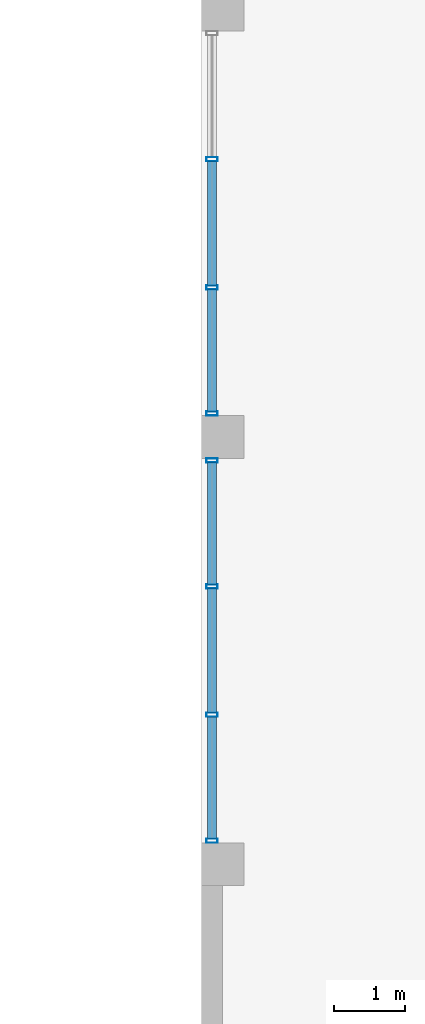
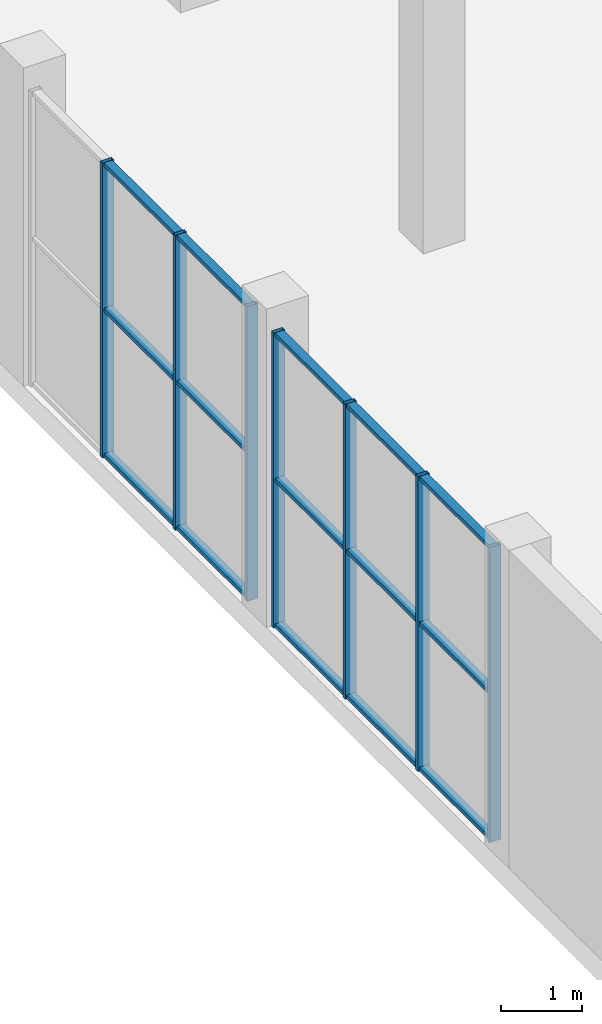
# One storey, part 8 of 45: 22 members, 2 elements without a shape of their own.
"""IFC4 building model written with IfcOpenShell, lengths in metres."""

from ifc_helpers import new_model, si_unit, direction, frame, origin, origin_2d, place, context, subcontext, project, spatial, hollow_rectangle, extrude, material, layer, layer_set, material_profile, profile_set, type_object, element, aggregate, save


model = new_model("IFC4")

# Units and contexts
model_context = context("Model", 3, precision=1e-05, world=origin(), true_north=direction((0.0, 1.0)))
body_context = subcontext(model_context, "Body", "Model", "MODEL_VIEW")
ifc_project = project(units=[si_unit("LENGTHUNIT", "METRE"), si_unit("AREAUNIT", "SQUARE_METRE"), si_unit("VOLUMEUNIT", "CUBIC_METRE"), si_unit("PLANEANGLEUNIT", "RADIAN"), si_unit("MASSUNIT", "GRAM", prefix="KILO")], contexts=[model_context])

# Site, building, storey
site_placement = place(None, origin())
site = spatial("IfcSite", under=ifc_project, at=site_placement, CompositionType="ELEMENT")
building_placement = place(site_placement, origin())
building = spatial("IfcBuilding", under=site, at=building_placement, Name="Nakaniwa Court", CompositionType="ELEMENT")
storey_placement = place(building_placement, frame((0.0, 0.0, 6.60009765625)))
storey = spatial("IfcBuildingStorey", under=building, at=storey_placement, Name="L01", CompositionType="ELEMENT", Elevation=6.60009765625)

# Curtain wall, members
ifc_material_1 = material(Name="Dark low-E laminated glass in black aluminium frame", Category="aluminium")
ifc_layer = layer(ifc_material_1, 0.159912109375)
ifc_layer_set = layer_set([ifc_layer], Name="Dark low-E laminated glass in black aluminium frame")
curtain_wall_type = type_object("IfcCurtainWallType", Name="Hall foyer curtain wall CW6", PredefinedType="NOTDEFINED", material=ifc_layer_set)
curtain_wall_1_placement = place(storey_placement, origin())
curtain_wall_1 = element("IfcCurtainWall", 1, at=curtain_wall_1_placement, inside=storey, type_object=curtain_wall_type, Name="Foyer curtain wall L01:003", PredefinedType="NOTDEFINED")
ifc_material_2 = material(Name="Extruded aluminium 6063-T6 black anodised", Category="aluminium")
ifc_material_profile_1 = material_profile(ifc_material_2, hollow_rectangle(XDim=0.159912109375, YDim=0.06005859375, WallThickness=0.0029296875, at=origin_2d()), Name="CW mullion 160x60")
ifc_profile_set_1 = profile_set([ifc_material_profile_1], Name="Extruded aluminium 6063-T6 black anodised")
member_type_1 = type_object("IfcMemberType", Name="Curtain wall mullion 160x60", PredefinedType="MULLION", material=ifc_profile_set_1)
member_1_placement = place(storey_placement, frame((152.14990234375, 68.330078125, 0.0), z_axis=(0.0, 0.0, 1.0), x_axis=(-1.0, 0.0, 0.0)))
member_1 = element("IfcMember", 2, at=member_1_placement, type_object=member_type_1, Name="HCW-01 mullion 1", PredefinedType="MULLION", context=body_context, shape_type="SweptSolid", body=[
    extrude(hollow_rectangle(XDim=0.159912109375, YDim=0.06005859375, WallThickness=0.0029296875, at=origin_2d()), origin(), (0.0, 0.0, 1.0), 4.449951171875),
])
member_2_placement = place(storey_placement, frame((152.14990234375, 70.10009765625, 0.0), z_axis=(0.0, 0.0, 1.0), x_axis=(-1.0, 0.0, 0.0)))
member_2 = element("IfcMember", 3, at=member_2_placement, type_object=member_type_1, Name="HCW-01 mullion 2", PredefinedType="MULLION", context=body_context, shape_type="SweptSolid", body=[
    extrude(hollow_rectangle(XDim=0.159912109375, YDim=0.06005859375, WallThickness=0.0029296875, at=origin_2d()), origin(), (0.0, 0.0, 1.0), 4.449951171875),
])
member_3_placement = place(storey_placement, frame((152.14990234375, 71.89990234375, 0.0), z_axis=(0.0, 0.0, 1.0), x_axis=(-1.0, 0.0, 0.0)))
member_3 = element("IfcMember", 4, at=member_3_placement, type_object=member_type_1, Name="HCW-01 mullion 3", PredefinedType="MULLION", context=body_context, shape_type="SweptSolid", body=[
    extrude(hollow_rectangle(XDim=0.159912109375, YDim=0.06005859375, WallThickness=0.0029296875, at=origin_2d()), origin(), (0.0, 0.0, 1.0), 4.449951171875),
])
member_4_placement = place(storey_placement, frame((152.14990234375, 73.669921875, 0.0), z_axis=(0.0, 0.0, 1.0), x_axis=(-1.0, 0.0, 0.0)))
member_4 = element("IfcMember", 5, at=member_4_placement, type_object=member_type_1, Name="HCW-01 mullion 4", PredefinedType="MULLION", context=body_context, shape_type="SweptSolid", body=[
    extrude(hollow_rectangle(XDim=0.159912109375, YDim=0.06005859375, WallThickness=0.0029296875, at=origin_2d()), origin(), (0.0, 0.0, 1.0), 4.449951171875),
])

curtain_wall_2_placement = place(storey_placement, origin())
curtain_wall_2 = element("IfcCurtainWall", 6, at=curtain_wall_2_placement, inside=storey, type_object=curtain_wall_type, Name="Foyer curtain wall L01:004", PredefinedType="NOTDEFINED")
member_5_placement = place(storey_placement, frame((152.14990234375, 74.330078125, 0.0), z_axis=(0.0, 0.0, 1.0), x_axis=(-1.0, 0.0, 0.0)))
member_5 = element("IfcMember", 7, at=member_5_placement, type_object=member_type_1, Name="HCW-02 mullion 1", PredefinedType="MULLION", context=body_context, shape_type="SweptSolid", body=[
    extrude(hollow_rectangle(XDim=0.159912109375, YDim=0.06005859375, WallThickness=0.0029296875, at=origin_2d()), origin(), (0.0, 0.0, 1.0), 4.449951171875),
])
member_6_placement = place(storey_placement, frame((152.14990234375, 76.10009765625, 0.0), z_axis=(0.0, 0.0, 1.0), x_axis=(-1.0, 0.0, 0.0)))
member_6 = element("IfcMember", 8, at=member_6_placement, type_object=member_type_1, Name="HCW-02 mullion 2", PredefinedType="MULLION", context=body_context, shape_type="SweptSolid", body=[
    extrude(hollow_rectangle(XDim=0.159912109375, YDim=0.06005859375, WallThickness=0.0029296875, at=origin_2d()), origin(), (0.0, 0.0, 1.0), 4.449951171875),
])
member_7_placement = place(storey_placement, frame((152.14990234375, 77.89990234375, 0.0), z_axis=(0.0, 0.0, 1.0), x_axis=(-1.0, 0.0, 0.0)))
member_7 = element("IfcMember", 9, at=member_7_placement, type_object=member_type_1, Name="HCW-02 mullion 3", PredefinedType="MULLION", context=body_context, shape_type="SweptSolid", body=[
    extrude(hollow_rectangle(XDim=0.159912109375, YDim=0.06005859375, WallThickness=0.0029296875, at=origin_2d()), origin(), (0.0, 0.0, 1.0), 4.449951171875),
])

# Member
ifc_material_profile_2 = material_profile(ifc_material_2, hollow_rectangle(XDim=0.1201171875, YDim=0.06005859375, WallThickness=0.0029296875, at=origin_2d()), Name="CW transom 120x60")
ifc_profile_set_2 = profile_set([ifc_material_profile_2], Name="Extruded aluminium 6063-T6 black anodised")
member_type_2 = type_object("IfcMemberType", Name="Curtain wall transom 120x60", PredefinedType="USERDEFINED", material=ifc_profile_set_2)
member_8_placement = place(storey_placement, frame((152.14990234375, 68.360107421875, 0.02978515625), z_axis=(0.0, 1.0, 0.0), x_axis=(-1.0, 0.0, 0.0)))
member_8 = element("IfcMember", 10, at=member_8_placement, type_object=member_type_2, Name="HCW-01 transom 1.1", ObjectType="TRANSOM", PredefinedType="USERDEFINED", context=body_context, shape_type="SweptSolid", body=[
    extrude(hollow_rectangle(XDim=0.1201171875, YDim=0.06005859375, WallThickness=0.0029296875, at=origin_2d()), origin(), (0.0, 0.0, 1.0), 1.7099609375),
])

member_9_placement = place(storey_placement, frame((152.14990234375, 68.360107421875, 2.224853515625), z_axis=(0.0, 1.0, 0.0), x_axis=(-1.0, 0.0, 0.0)))
member_9 = element("IfcMember", 11, at=member_9_placement, type_object=member_type_2, Name="HCW-01 transom 1.2", ObjectType="TRANSOM", PredefinedType="USERDEFINED", context=body_context, shape_type="SweptSolid", body=[
    extrude(hollow_rectangle(XDim=0.1201171875, YDim=0.06005859375, WallThickness=0.0029296875, at=origin_2d()), origin(), (0.0, 0.0, 1.0), 1.7099609375),
])

member_10_placement = place(storey_placement, frame((152.14990234375, 68.360107421875, 4.419921875), z_axis=(0.0, 1.0, 0.0), x_axis=(-1.0, 0.0, 0.0)))
member_10 = element("IfcMember", 12, at=member_10_placement, type_object=member_type_2, Name="HCW-01 transom 1.3", ObjectType="TRANSOM", PredefinedType="USERDEFINED", context=body_context, shape_type="SweptSolid", body=[
    extrude(hollow_rectangle(XDim=0.1201171875, YDim=0.06005859375, WallThickness=0.0029296875, at=origin_2d()), origin(), (0.0, 0.0, 1.0), 1.7099609375),
])

member_11_placement = place(storey_placement, frame((152.14990234375, 70.1298828125, 0.02978515625), z_axis=(0.0, 1.0, 0.0), x_axis=(-1.0, 0.0, 0.0)))
member_11 = element("IfcMember", 13, at=member_11_placement, type_object=member_type_2, Name="HCW-01 transom 2.1", ObjectType="TRANSOM", PredefinedType="USERDEFINED", context=body_context, shape_type="SweptSolid", body=[
    extrude(hollow_rectangle(XDim=0.1201171875, YDim=0.06005859375, WallThickness=0.0029296875, at=origin_2d()), origin(), (0.0, 0.0, 1.0), 1.740234375),
])

member_12_placement = place(storey_placement, frame((152.14990234375, 70.1298828125, 2.224853515625), z_axis=(0.0, 1.0, 0.0), x_axis=(-1.0, 0.0, 0.0)))
member_12 = element("IfcMember", 14, at=member_12_placement, type_object=member_type_2, Name="HCW-01 transom 2.2", ObjectType="TRANSOM", PredefinedType="USERDEFINED", context=body_context, shape_type="SweptSolid", body=[
    extrude(hollow_rectangle(XDim=0.1201171875, YDim=0.06005859375, WallThickness=0.0029296875, at=origin_2d()), origin(), (0.0, 0.0, 1.0), 1.740234375),
])

member_13_placement = place(storey_placement, frame((152.14990234375, 70.1298828125, 4.419921875), z_axis=(0.0, 1.0, 0.0), x_axis=(-1.0, 0.0, 0.0)))
member_13 = element("IfcMember", 15, at=member_13_placement, type_object=member_type_2, Name="HCW-01 transom 2.3", ObjectType="TRANSOM", PredefinedType="USERDEFINED", context=body_context, shape_type="SweptSolid", body=[
    extrude(hollow_rectangle(XDim=0.1201171875, YDim=0.06005859375, WallThickness=0.0029296875, at=origin_2d()), origin(), (0.0, 0.0, 1.0), 1.740234375),
])

member_14_placement = place(storey_placement, frame((152.14990234375, 71.929931640625, 0.02978515625), z_axis=(0.0, 1.0, 0.0), x_axis=(-1.0, 0.0, 0.0)))
member_14 = element("IfcMember", 16, at=member_14_placement, type_object=member_type_2, Name="HCW-01 transom 3.1", ObjectType="TRANSOM", PredefinedType="USERDEFINED", context=body_context, shape_type="SweptSolid", body=[
    extrude(hollow_rectangle(XDim=0.1201171875, YDim=0.06005859375, WallThickness=0.0029296875, at=origin_2d()), origin(), (0.0, 0.0, 1.0), 1.7099609375),
])

member_15_placement = place(storey_placement, frame((152.14990234375, 71.929931640625, 2.224853515625), z_axis=(0.0, 1.0, 0.0), x_axis=(-1.0, 0.0, 0.0)))
member_15 = element("IfcMember", 17, at=member_15_placement, type_object=member_type_2, Name="HCW-01 transom 3.2", ObjectType="TRANSOM", PredefinedType="USERDEFINED", context=body_context, shape_type="SweptSolid", body=[
    extrude(hollow_rectangle(XDim=0.1201171875, YDim=0.06005859375, WallThickness=0.0029296875, at=origin_2d()), origin(), (0.0, 0.0, 1.0), 1.7099609375),
])

member_16_placement = place(storey_placement, frame((152.14990234375, 71.929931640625, 4.419921875), z_axis=(0.0, 1.0, 0.0), x_axis=(-1.0, 0.0, 0.0)))
member_16 = element("IfcMember", 18, at=member_16_placement, type_object=member_type_2, Name="HCW-01 transom 3.3", ObjectType="TRANSOM", PredefinedType="USERDEFINED", context=body_context, shape_type="SweptSolid", body=[
    extrude(hollow_rectangle(XDim=0.1201171875, YDim=0.06005859375, WallThickness=0.0029296875, at=origin_2d()), origin(), (0.0, 0.0, 1.0), 1.7099609375),
])

aggregate(curtain_wall_1, [member_1, member_2, member_3, member_4, member_8, member_9, member_10, member_11, member_12, member_13, member_14, member_15, member_16])

member_17_placement = place(storey_placement, frame((152.14990234375, 74.360107421875, 0.02978515625), z_axis=(0.0, 1.0, 0.0), x_axis=(-1.0, 0.0, 0.0)))
member_17 = element("IfcMember", 19, at=member_17_placement, type_object=member_type_2, Name="HCW-02 transom 1.1", ObjectType="TRANSOM", PredefinedType="USERDEFINED", context=body_context, shape_type="SweptSolid", body=[
    extrude(hollow_rectangle(XDim=0.1201171875, YDim=0.06005859375, WallThickness=0.0029296875, at=origin_2d()), origin(), (0.0, 0.0, 1.0), 1.7099609375),
])

member_18_placement = place(storey_placement, frame((152.14990234375, 74.360107421875, 2.224853515625), z_axis=(0.0, 1.0, 0.0), x_axis=(-1.0, 0.0, 0.0)))
member_18 = element("IfcMember", 20, at=member_18_placement, type_object=member_type_2, Name="HCW-02 transom 1.2", ObjectType="TRANSOM", PredefinedType="USERDEFINED", context=body_context, shape_type="SweptSolid", body=[
    extrude(hollow_rectangle(XDim=0.1201171875, YDim=0.06005859375, WallThickness=0.0029296875, at=origin_2d()), origin(), (0.0, 0.0, 1.0), 1.7099609375),
])

member_19_placement = place(storey_placement, frame((152.14990234375, 74.360107421875, 4.419921875), z_axis=(0.0, 1.0, 0.0), x_axis=(-1.0, 0.0, 0.0)))
member_19 = element("IfcMember", 21, at=member_19_placement, type_object=member_type_2, Name="HCW-02 transom 1.3", ObjectType="TRANSOM", PredefinedType="USERDEFINED", context=body_context, shape_type="SweptSolid", body=[
    extrude(hollow_rectangle(XDim=0.1201171875, YDim=0.06005859375, WallThickness=0.0029296875, at=origin_2d()), origin(), (0.0, 0.0, 1.0), 1.7099609375),
])

member_20_placement = place(storey_placement, frame((152.14990234375, 76.1298828125, 0.02978515625), z_axis=(0.0, 1.0, 0.0), x_axis=(-1.0, 0.0, 0.0)))
member_20 = element("IfcMember", 22, at=member_20_placement, type_object=member_type_2, Name="HCW-02 transom 2.1", ObjectType="TRANSOM", PredefinedType="USERDEFINED", context=body_context, shape_type="SweptSolid", body=[
    extrude(hollow_rectangle(XDim=0.1201171875, YDim=0.06005859375, WallThickness=0.0029296875, at=origin_2d()), origin(), (0.0, 0.0, 1.0), 1.740234375),
])

member_21_placement = place(storey_placement, frame((152.14990234375, 76.1298828125, 2.224853515625), z_axis=(0.0, 1.0, 0.0), x_axis=(-1.0, 0.0, 0.0)))
member_21 = element("IfcMember", 23, at=member_21_placement, type_object=member_type_2, Name="HCW-02 transom 2.2", ObjectType="TRANSOM", PredefinedType="USERDEFINED", context=body_context, shape_type="SweptSolid", body=[
    extrude(hollow_rectangle(XDim=0.1201171875, YDim=0.06005859375, WallThickness=0.0029296875, at=origin_2d()), origin(), (0.0, 0.0, 1.0), 1.740234375),
])

member_22_placement = place(storey_placement, frame((152.14990234375, 76.1298828125, 4.419921875), z_axis=(0.0, 1.0, 0.0), x_axis=(-1.0, 0.0, 0.0)))
member_22 = element("IfcMember", 24, at=member_22_placement, type_object=member_type_2, Name="HCW-02 transom 2.3", ObjectType="TRANSOM", PredefinedType="USERDEFINED", context=body_context, shape_type="SweptSolid", body=[
    extrude(hollow_rectangle(XDim=0.1201171875, YDim=0.06005859375, WallThickness=0.0029296875, at=origin_2d()), origin(), (0.0, 0.0, 1.0), 1.740234375),
])

aggregate(curtain_wall_2, [member_5, member_6, member_7, member_17, member_18, member_19, member_20, member_21, member_22])

save(model, "model.ifc")
